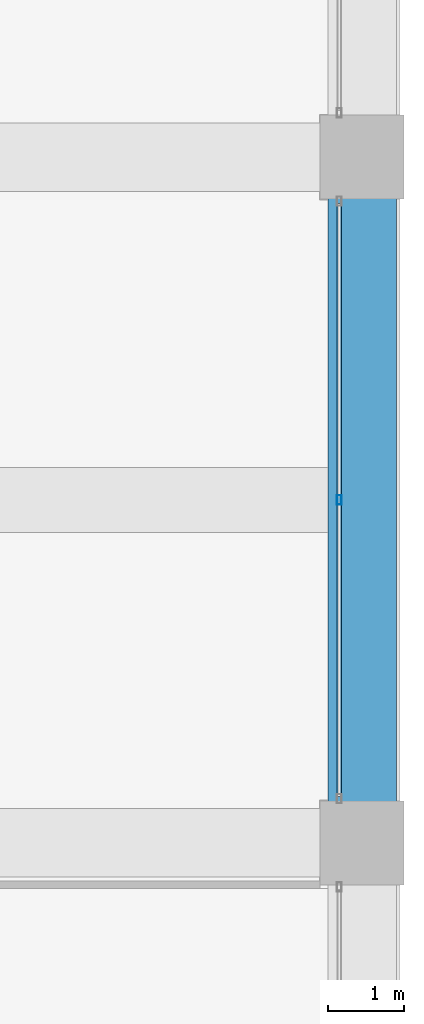
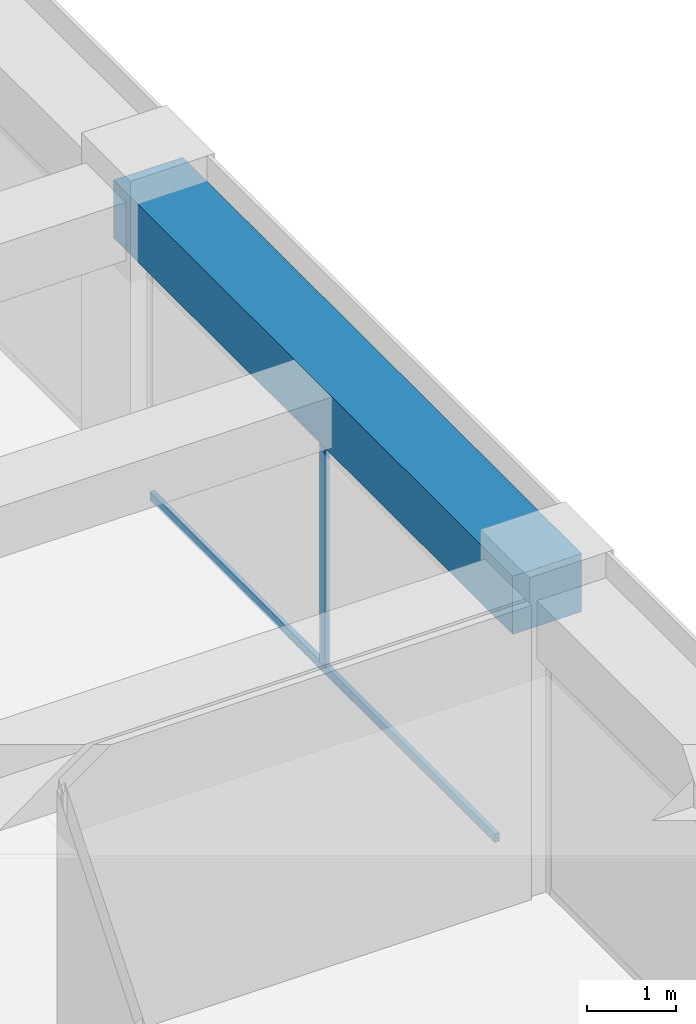
# One storey, part 25 of 44: 2 members, 1 beam, 1 element without a shape of its own.
"""IFC4 building model written with IfcOpenShell, lengths in metres."""

from ifc_helpers import new_model, si_unit, direction, frame, origin, origin_2d, place, context, subcontext, project, spatial, rectangle, hollow_rectangle, extrude, material, material_profile, profile_set, type_object, element, aggregate, save


model = new_model("IFC4")

# Units and contexts
model_context = context("Model", 3, precision=1e-05, world=origin(), true_north=direction((0.0, 1.0)))
body_context = subcontext(model_context, "Body", "Model", "MODEL_VIEW")
ifc_project = project(units=[si_unit("LENGTHUNIT", "METRE"), si_unit("AREAUNIT", "SQUARE_METRE"), si_unit("VOLUMEUNIT", "CUBIC_METRE"), si_unit("PLANEANGLEUNIT", "RADIAN"), si_unit("MASSUNIT", "GRAM", prefix="KILO")], contexts=[model_context])

# Site, building, storey
site_placement = place(None, origin())
site = spatial("IfcSite", under=ifc_project, at=site_placement, CompositionType="ELEMENT")
building_placement = place(site_placement, origin())
building = spatial("IfcBuilding", under=site, at=building_placement, Name="Zorevar Civic Tower", CompositionType="ELEMENT")
storey_placement = place(building_placement, frame((0.0, 0.0, 307.39990234375)))
storey = spatial("IfcBuildingStorey", under=building, at=storey_placement, Name="L75", CompositionType="ELEMENT", Elevation=307.39990234375)

# Curtain wall, members
ifc_material_1 = material(Name="Dark grey solar-control glass in black aluminium frame", Category="aluminium")
curtain_wall_type = type_object("IfcCurtainWallType", Name="Curtain wall CW5 top zone", PredefinedType="NOTDEFINED", material=ifc_material_1)
curtain_wall_placement = place(storey_placement, origin())
curtain_wall = element("IfcCurtainWall", 1, at=curtain_wall_placement, inside=storey, type_object=curtain_wall_type, Name="CW5 L75", PredefinedType="NOTDEFINED")
ifc_material_2 = material(Name="Aluminium, black anodised", Category="aluminium")
ifc_material_profile_1 = material_profile(ifc_material_2, hollow_rectangle(XDim=0.06005859375, YDim=0.1201171875, WallThickness=0.0029296875, at=origin_2d()), Name="AL 120x60x3")
ifc_profile_set_1 = profile_set([ifc_material_profile_1], Name="Aluminium, black anodised")
member_type_1 = type_object("IfcMemberType", Name="CW5 mullion AL 120x60x3", PredefinedType="MULLION", material=ifc_profile_set_1)
member_1_placement = place(storey_placement, frame((53.699951171875, 22.5, 0.06005859375), z_axis=(0.0, 0.0, 1.0), x_axis=(-1.0, 0.0, 0.0)))
member_1 = element("IfcMember", 2, at=member_1_placement, type_object=member_type_1, Name="CW5 mullion 2", PredefinedType="MULLION", context=body_context, shape_type="SweptSolid", body=[
    extrude(hollow_rectangle(XDim=0.06005859375, YDim=0.1201171875, WallThickness=0.0029296875, at=origin_2d()), origin(), (0.0, 0.0, 1.0), 3.18994140625),
])
ifc_material_3 = material(Name="Aluminium, black anodised", Category="aluminium")
ifc_material_profile_2 = material_profile(ifc_material_3, hollow_rectangle(XDim=0.06005859375, YDim=0.1201171875, WallThickness=0.0029296875, at=origin_2d()), Name="AL 120x60x3")
ifc_profile_set_2 = profile_set([ifc_material_profile_2], Name="Aluminium, black anodised")
member_type_2 = type_object("IfcMemberType", Name="CW5 transom AL 120x60x3", PredefinedType="USERDEFINED", material=ifc_profile_set_2)
member_2_placement = place(storey_placement, frame((53.699951171875, 18.610107421875, 0.030029296875), z_axis=(0.0, 1.0, 0.0), x_axis=(-1.0, 0.0, 0.0)))
member_2 = element("IfcMember", 3, at=member_2_placement, type_object=member_type_2, Name="CW5 sill transom", ObjectType="TRANSOM", PredefinedType="USERDEFINED", context=body_context, shape_type="SweptSolid", body=[
    extrude(hollow_rectangle(XDim=0.06005859375, YDim=0.1201171875, WallThickness=0.0029296875, at=origin_2d()), origin(), (0.0, 0.0, 1.0), 7.77978515625),
])
aggregate(curtain_wall, [member_1, member_2])

# Beam
ifc_material_4 = material(Name="Concrete C50/60", Category="concrete")
ifc_material_profile_3 = material_profile(ifc_material_4, rectangle(XDim=0.89990234375, YDim=0.800048828125, at=origin_2d()), Name="RC 900x800")
ifc_profile_set_3 = profile_set([ifc_material_profile_3], Name="Concrete C50/60")
beam_type = type_object("IfcBeamType", Name="Edge beam RC 900x800", PredefinedType="SPANDREL", material=ifc_profile_set_3)
beam_placement = place(storey_placement, frame((54.0, 18.0, 3.650146484375), z_axis=(0.0, 1.0, 0.0), x_axis=(-1.0, 0.0, 0.0)))
element("IfcBeam", 4, at=beam_placement, inside=storey, type_object=beam_type, Name="Edge beam RF", PredefinedType="SPANDREL", context=body_context, shape_type="SweptSolid", body=[
    extrude(rectangle(XDim=0.89990234375, YDim=0.800048828125, at=origin_2d()), origin(), (0.0, 0.0, 1.0), 9.0),
])

save(model, "model.ifc")
